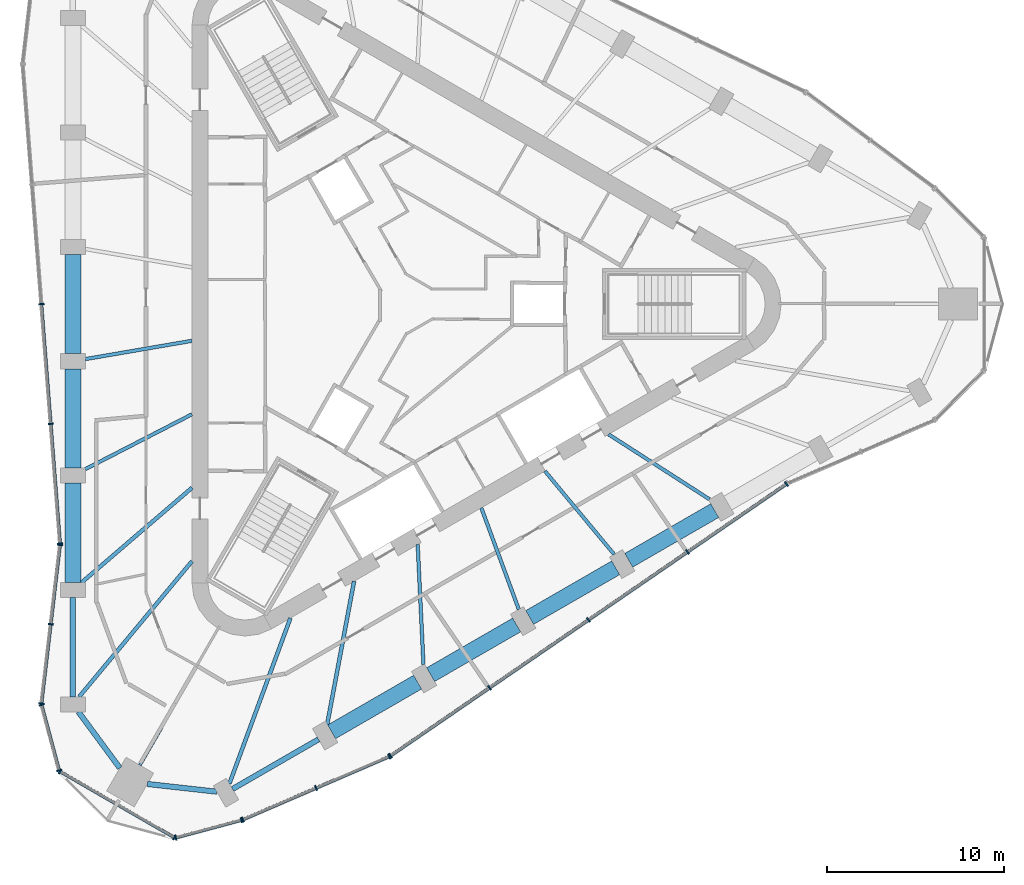
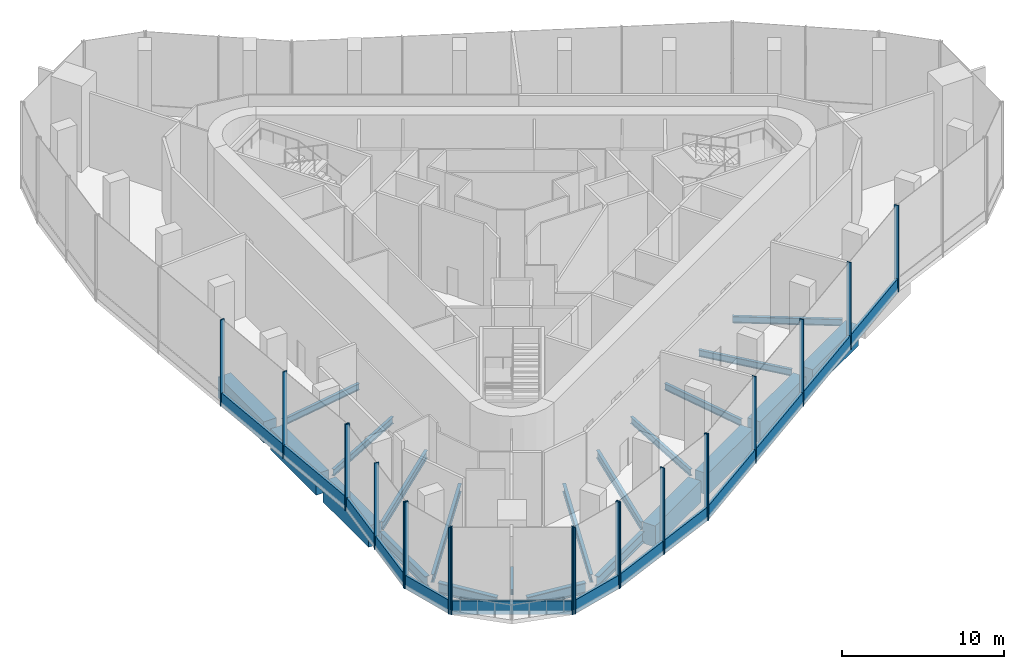
# One storey, part 2 of 13: 33 members, 22 beams, 7 elements without a shape of their own.
"""IFC4 building model written with IfcOpenShell, lengths in metres."""

from ifc_helpers import new_model, si_unit, direction, frame, origin, origin_2d, place, context, subcontext, project, spatial, rectangle, i_section, extrude, material, material_profile, profile_set, type_object, element, aggregate, save


model = new_model("IFC4")

# Units and contexts
model_context = context("Model", 3, precision=1e-05, world=origin(), true_north=direction((0.0, 1.0)))
body_context = subcontext(model_context, "Body", "Model", "MODEL_VIEW")
ifc_project = project(units=[si_unit("LENGTHUNIT", "METRE"), si_unit("AREAUNIT", "SQUARE_METRE"), si_unit("VOLUMEUNIT", "CUBIC_METRE"), si_unit("PLANEANGLEUNIT", "RADIAN"), si_unit("MASSUNIT", "GRAM", prefix="KILO")], contexts=[model_context])

# Site, building, storey
site_placement = place(None, origin())
site = spatial("IfcSite", under=ifc_project, at=site_placement, CompositionType="ELEMENT")
building_placement = place(site_placement, origin())
building = spatial("IfcBuilding", under=site, at=building_placement, Name="Tanit Gate Tower", CompositionType="ELEMENT")
storey_placement = place(building_placement, frame((0.0, 0.0, 398.300048828125)))
storey = spatial("IfcBuildingStorey", under=building, at=storey_placement, Name="L91", CompositionType="ELEMENT", Elevation=398.300048828125)

# Beams
ifc_material_1 = material(Name="Steel S460", Category="steel")
ifc_material_profile_1 = material_profile(ifc_material_1, i_section(OverallWidth=0.302978515625, OverallDepth=0.81396484375, WebThickness=0.02099609375, FlangeThickness=0.0400390625, FilletRadius=0.030029296875, at=origin_2d()), Name="HEM 800")
ifc_profile_set_1 = profile_set([ifc_material_profile_1], Name="Steel S460")
beam_type_1 = type_object("IfcBeamType", Name="BELT TRUSS CHORD HEM 800 S460", PredefinedType="BEAM", material=ifc_profile_set_1)
beam_1_placement = place(storey_placement, frame((-18.833984375, -16.584716796875, -0.70703125), z_axis=(0.0, -1.0, 0.0), x_axis=(1.0, 0.0, 0.0)))
element("IfcBeam", 1, at=beam_1_placement, inside=storey, type_object=beam_type_1, Name="BELT TRUSS CHORD", PredefinedType="BEAM", context=body_context, shape_type="SweptSolid", body=[
    extrude(i_section(OverallWidth=0.302978515625, OverallDepth=0.81396484375, WebThickness=0.02099609375, FlangeThickness=0.0400390625, FilletRadius=0.030029296875, at=origin_2d()), origin(), (0.0, 0.0, 1.0), 5.61376953125),
])
for number, where, z_axis, x_axis, name in (
    (2, (-18.52099609375, -23.048583984375, -0.70703125), (0.593167379539, -0.805079163717, 0.0), (0.805079163717, 0.593167379539, 0.0), "BELT TRUSS CHORD"),
    (3, (-14.62158203125, -27.12548828125, -0.70703125), (0.993813360322, -0.111063066977, 0.0), (0.111063066977, 0.993813360322, 0.0), "BELT TRUSS CHORD"),
):
    element("IfcBeam", number, at=place(storey_placement, frame(where, z_axis=z_axis, x_axis=x_axis)), inside=storey, type_object=beam_type_1, Name=name, PredefinedType="BEAM", context=body_context, shape_type="SweptSolid", body=[
        extrude(i_section(OverallWidth=0.302978515625, OverallDepth=0.81396484375, WebThickness=0.02099609375, FlangeThickness=0.0400390625, FilletRadius=0.030029296875, at=origin_2d()), origin(), (0.0, 0.0, 1.0), 3.94580078125),
    ])
beam_2_placement = place(storey_placement, frame((-9.8076171875, -27.409912109375, -0.70703125), z_axis=(0.866032056001, 0.499988477847, 0.0), x_axis=(-0.499988477847, 0.866032056001, 0.0)))
element("IfcBeam", 4, at=beam_2_placement, inside=storey, type_object=beam_type_1, Name="BELT TRUSS CHORD", PredefinedType="BEAM", context=body_context, shape_type="SweptSolid", body=[
    extrude(i_section(OverallWidth=0.302978515625, OverallDepth=0.81396484375, WebThickness=0.02099609375, FlangeThickness=0.0400390625, FilletRadius=0.030029296875, at=origin_2d()), origin(), (0.0, 0.0, 1.0), 5.614013671875),
])

# Curtain wall, members
ifc_material_2 = material(Name="Aluminium bronze anodised and glass", Category="aluminium")
curtain_wall_type = type_object("IfcCurtainWallType", Name="Curtain wall observation", PredefinedType="NOTDEFINED", material=ifc_material_2)
curtain_wall_1_placement = place(storey_placement, origin())
curtain_wall_1 = element("IfcCurtainWall", 5, at=curtain_wall_1_placement, inside=storey, type_object=curtain_wall_type, Name="Curtain wall L91 W2", PredefinedType="NOTDEFINED")
ifc_material_3 = material(Name="Aluminium bronze anodised", Category="aluminium")
ifc_material_profile_2 = material_profile(ifc_material_3, rectangle(XDim=0.300048828125, YDim=0.080078125, at=origin_2d()), Name="80x300 bronze mullion")
ifc_profile_set_2 = profile_set([ifc_material_profile_2], Name="Aluminium bronze anodised")
member_type_1 = type_object("IfcMemberType", Name="Mullion 80x300 observation", PredefinedType="MULLION", material=ifc_profile_set_2)
member_1_placement = place(storey_placement, frame((-20.613525390625, -0.00244140625, -0.300048828125), z_axis=(0.0, 0.0, 1.0), x_axis=(0.996965976109, 0.077838566791, 0.0)))
member_1 = element("IfcMember", 6, at=member_1_placement, type_object=member_type_1, Name="Mullion L91 W2.3", PredefinedType="MULLION", context=body_context, shape_type="SweptSolid", body=[
    extrude(rectangle(XDim=0.300048828125, YDim=0.080078125, at=origin_2d()), origin(), (0.0, 0.0, 1.0), 6.5),
])
member_2_placement = place(storey_placement, frame((-20.085205078125, -6.76953125, -0.300048828125), z_axis=(0.0, 0.0, 1.0), x_axis=(0.996965976109, 0.077838566791, 0.0)))
member_2 = element("IfcMember", 7, at=member_2_placement, type_object=member_type_1, Name="Mullion L91 W2.4", PredefinedType="MULLION", context=body_context, shape_type="SweptSolid", body=[
    extrude(rectangle(XDim=0.300048828125, YDim=0.080078125, at=origin_2d()), origin(), (0.0, 0.0, 1.0), 6.5),
])
member_3_placement = place(storey_placement, frame((-19.556640625, -13.53662109375, -0.300048828125), z_axis=(0.0, 0.0, 1.0), x_axis=(0.996965976109, 0.077838566791, 0.0)))
member_3 = element("IfcMember", 8, at=member_3_placement, type_object=member_type_1, Name="Mullion L91 W2.5", PredefinedType="MULLION", context=body_context, shape_type="SweptSolid", body=[
    extrude(rectangle(XDim=0.300048828125, YDim=0.080078125, at=origin_2d()), origin(), (0.0, 0.0, 1.0), 6.5),
])

curtain_wall_2_placement = place(storey_placement, origin())
curtain_wall_2 = element("IfcCurtainWall", 9, at=curtain_wall_2_placement, inside=storey, type_object=curtain_wall_type, Name="Curtain wall L91 W3", PredefinedType="NOTDEFINED")
member_4_placement = place(storey_placement, frame((-19.558349609375, -13.6162109375, -0.300048828125), z_axis=(0.0, 0.0, 1.0), x_axis=(0.993211998535, -0.116318209953, 0.0)))
member_4 = element("IfcMember", 10, at=member_4_placement, type_object=member_type_1, Name="Mullion L91 W3.1", PredefinedType="MULLION", context=body_context, shape_type="SweptSolid", body=[
    extrude(rectangle(XDim=0.300048828125, YDim=0.080078125, at=origin_2d()), origin(), (0.0, 0.0, 1.0), 6.5),
])
member_5_placement = place(storey_placement, frame((-20.082763671875, -18.095703125, -0.300048828125), z_axis=(0.0, 0.0, 1.0), x_axis=(0.993211998535, -0.116318209953, 0.0)))
member_5 = element("IfcMember", 11, at=member_5_placement, type_object=member_type_1, Name="Mullion L91 W3.2", PredefinedType="MULLION", context=body_context, shape_type="SweptSolid", body=[
    extrude(rectangle(XDim=0.300048828125, YDim=0.080078125, at=origin_2d()), origin(), (0.0, 0.0, 1.0), 6.5),
])
member_6_placement = place(storey_placement, frame((-20.607421875, -22.574951171875, -0.300048828125), z_axis=(0.0, 0.0, 1.0), x_axis=(0.993211998535, -0.116318209953, 0.0)))
member_6 = element("IfcMember", 12, at=member_6_placement, type_object=member_type_1, Name="Mullion L91 W3.3", PredefinedType="MULLION", context=body_context, shape_type="SweptSolid", body=[
    extrude(rectangle(XDim=0.300048828125, YDim=0.080078125, at=origin_2d()), origin(), (0.0, 0.0, 1.0), 6.5),
])

curtain_wall_3_placement = place(storey_placement, origin())
curtain_wall_3 = element("IfcCurtainWall", 13, at=curtain_wall_3_placement, inside=storey, type_object=curtain_wall_type, Name="Curtain wall L91 SW.arc1", PredefinedType="NOTDEFINED")
member_7_placement = place(storey_placement, frame((-20.601806640625, -22.6533203125, -0.300048828125), z_axis=(0.0, 0.0, 1.0), x_axis=(0.965925826289, 0.258819045103, 0.0)))
member_7 = element("IfcMember", 14, at=member_7_placement, type_object=member_type_1, Name="Mullion L91 SW.arc1.1", PredefinedType="MULLION", context=body_context, shape_type="SweptSolid", body=[
    extrude(rectangle(XDim=0.300048828125, YDim=0.080078125, at=origin_2d()), origin(), (0.0, 0.0, 1.0), 6.5),
])
member_8_placement = place(storey_placement, frame((-19.60888671875, -26.35888671875, -0.300048828125), z_axis=(0.0, 0.0, 1.0), x_axis=(0.965925826289, 0.258819045103, 0.0)))
member_8 = element("IfcMember", 15, at=member_8_placement, type_object=member_type_1, Name="Mullion L91 SW.arc1.2", PredefinedType="MULLION", context=body_context, shape_type="SweptSolid", body=[
    extrude(rectangle(XDim=0.300048828125, YDim=0.080078125, at=origin_2d()), origin(), (0.0, 0.0, 1.0), 6.5),
])

curtain_wall_4_placement = place(storey_placement, origin())
curtain_wall_4 = element("IfcCurtainWall", 16, at=curtain_wall_4_placement, inside=storey, type_object=curtain_wall_type, Name="Curtain wall L91 SW.arc2", PredefinedType="NOTDEFINED")
member_9_placement = place(storey_placement, frame((-19.56396484375, -26.417724609375, -0.300048828125), z_axis=(0.0, 0.0, 1.0), x_axis=(0.5, 0.866025403784, 0.0)))
member_9 = element("IfcMember", 17, at=member_9_placement, type_object=member_type_1, Name="Mullion L91 SW.arc2.1", PredefinedType="MULLION", context=body_context, shape_type="SweptSolid", body=[
    extrude(rectangle(XDim=0.300048828125, YDim=0.080078125, at=origin_2d()), origin(), (0.0, 0.0, 1.0), 6.5),
])
member_10_placement = place(storey_placement, frame((-13.096435546875, -30.151611328125, -0.300048828125), z_axis=(0.0, 0.0, 1.0), x_axis=(0.5, 0.866025403784, 0.0)))
member_10 = element("IfcMember", 18, at=member_10_placement, type_object=member_type_1, Name="Mullion L91 SW.arc2.2", PredefinedType="MULLION", context=body_context, shape_type="SweptSolid", body=[
    extrude(rectangle(XDim=0.300048828125, YDim=0.080078125, at=origin_2d()), origin(), (0.0, 0.0, 1.0), 6.5),
])

curtain_wall_5_placement = place(storey_placement, origin())
curtain_wall_5 = element("IfcCurtainWall", 19, at=curtain_wall_5_placement, inside=storey, type_object=curtain_wall_type, Name="Curtain wall L91 SW.arc3", PredefinedType="NOTDEFINED")
member_11_placement = place(storey_placement, frame((-13.023193359375, -30.161376953125, -0.300048828125), z_axis=(0.0, 0.0, 1.0), x_axis=(-0.258819045103, 0.965925826289, 0.0)))
member_11 = element("IfcMember", 20, at=member_11_placement, type_object=member_type_1, Name="Mullion L91 SW.arc3.1", PredefinedType="MULLION", context=body_context, shape_type="SweptSolid", body=[
    extrude(rectangle(XDim=0.300048828125, YDim=0.080078125, at=origin_2d()), origin(), (0.0, 0.0, 1.0), 6.5),
])
member_12_placement = place(storey_placement, frame((-9.3037109375, -29.164794921875, -0.300048828125), z_axis=(0.0, 0.0, 1.0), x_axis=(-0.258819045103, 0.965925826289, 0.0)))
member_12 = element("IfcMember", 21, at=member_12_placement, type_object=member_type_1, Name="Mullion L91 SW.arc3.2", PredefinedType="MULLION", context=body_context, shape_type="SweptSolid", body=[
    extrude(rectangle(XDim=0.300048828125, YDim=0.080078125, at=origin_2d()), origin(), (0.0, 0.0, 1.0), 6.5),
])

curtain_wall_6_placement = place(storey_placement, origin())
curtain_wall_6 = element("IfcCurtainWall", 22, at=curtain_wall_6_placement, inside=storey, type_object=curtain_wall_type, Name="Curtain wall L91 SE1", PredefinedType="NOTDEFINED")
member_13_placement = place(storey_placement, frame((-9.228515625, -29.138427734375, -0.300048828125), z_axis=(0.0, 0.0, 1.0), x_axis=(-0.395871474525, 0.918305927051, 0.0)))
member_13 = element("IfcMember", 23, at=member_13_placement, type_object=member_type_1, Name="Mullion L91 SE1.1", PredefinedType="MULLION", context=body_context, shape_type="SweptSolid", body=[
    extrude(rectangle(XDim=0.300048828125, YDim=0.080078125, at=origin_2d()), origin(), (0.0, 0.0, 1.0), 6.5),
])
member_14_placement = place(storey_placement, frame((-5.091064453125, -27.35498046875, -0.300048828125), z_axis=(0.0, 0.0, 1.0), x_axis=(-0.395871474525, 0.918305927051, 0.0)))
member_14 = element("IfcMember", 24, at=member_14_placement, type_object=member_type_1, Name="Mullion L91 SE1.2", PredefinedType="MULLION", context=body_context, shape_type="SweptSolid", body=[
    extrude(rectangle(XDim=0.300048828125, YDim=0.080078125, at=origin_2d()), origin(), (0.0, 0.0, 1.0), 6.5),
])
member_15_placement = place(storey_placement, frame((-0.95361328125, -25.5712890625, -0.300048828125), z_axis=(0.0, 0.0, 1.0), x_axis=(-0.395871474525, 0.918305927051, 0.0)))
member_15 = element("IfcMember", 25, at=member_15_placement, type_object=member_type_1, Name="Mullion L91 SE1.3", PredefinedType="MULLION", context=body_context, shape_type="SweptSolid", body=[
    extrude(rectangle(XDim=0.300048828125, YDim=0.080078125, at=origin_2d()), origin(), (0.0, 0.0, 1.0), 6.5),
])

curtain_wall_7_placement = place(storey_placement, origin())
curtain_wall_7 = element("IfcCurtainWall", 26, at=curtain_wall_7_placement, inside=storey, type_object=curtain_wall_type, Name="Curtain wall L91 SE2", PredefinedType="NOTDEFINED")
member_16_placement = place(storey_placement, frame((-0.884033203125, -25.532958984375, -0.300048828125), z_axis=(0.0, 0.0, 1.0), x_axis=(-0.56589316429, 0.824478578624, 0.0)))
member_16 = element("IfcMember", 27, at=member_16_placement, type_object=member_type_1, Name="Mullion L91 SE2.1", PredefinedType="MULLION", context=body_context, shape_type="SweptSolid", body=[
    extrude(rectangle(XDim=0.300048828125, YDim=0.080078125, at=origin_2d()), origin(), (0.0, 0.0, 1.0), 6.5),
])
member_17_placement = place(storey_placement, frame((4.71240234375, -21.691650390625, -0.300048828125), z_axis=(0.0, 0.0, 1.0), x_axis=(-0.56589316429, 0.824478578624, 0.0)))
member_17 = element("IfcMember", 28, at=member_17_placement, type_object=member_type_1, Name="Mullion L91 SE2.2", PredefinedType="MULLION", context=body_context, shape_type="SweptSolid", body=[
    extrude(rectangle(XDim=0.300048828125, YDim=0.080078125, at=origin_2d()), origin(), (0.0, 0.0, 1.0), 6.5),
])
member_18_placement = place(storey_placement, frame((10.308837890625, -17.8505859375, -0.300048828125), z_axis=(0.0, 0.0, 1.0), x_axis=(-0.56589316429, 0.824478578624, 0.0)))
member_18 = element("IfcMember", 29, at=member_18_placement, type_object=member_type_1, Name="Mullion L91 SE2.3", PredefinedType="MULLION", context=body_context, shape_type="SweptSolid", body=[
    extrude(rectangle(XDim=0.300048828125, YDim=0.080078125, at=origin_2d()), origin(), (0.0, 0.0, 1.0), 6.5),
])
member_19_placement = place(storey_placement, frame((15.905029296875, -14.009521484375, -0.300048828125), z_axis=(0.0, 0.0, 1.0), x_axis=(-0.56589316429, 0.824478578624, 0.0)))
member_19 = element("IfcMember", 30, at=member_19_placement, type_object=member_type_1, Name="Mullion L91 SE2.4", PredefinedType="MULLION", context=body_context, shape_type="SweptSolid", body=[
    extrude(rectangle(XDim=0.300048828125, YDim=0.080078125, at=origin_2d()), origin(), (0.0, 0.0, 1.0), 6.5),
])
member_20_placement = place(storey_placement, frame((21.50146484375, -10.168212890625, -0.300048828125), z_axis=(0.0, 0.0, 1.0), x_axis=(-0.56589316429, 0.824478578624, 0.0)))
member_20 = element("IfcMember", 31, at=member_20_placement, type_object=member_type_1, Name="Mullion L91 SE2.5", PredefinedType="MULLION", context=body_context, shape_type="SweptSolid", body=[
    extrude(rectangle(XDim=0.300048828125, YDim=0.080078125, at=origin_2d()), origin(), (0.0, 0.0, 1.0), 6.5),
])

# Beams
ifc_material_4 = material(Name="Steel S355", Category="steel")
ifc_material_profile_3 = material_profile(ifc_material_4, i_section(OverallWidth=0.179931640625, OverallDepth=0.39990234375, WebThickness=0.008544921875, FlangeThickness=0.013427734375, FilletRadius=0.02099609375, at=origin_2d()), Name="IPE 400")
ifc_profile_set_3 = profile_set([ifc_material_profile_3], Name="Steel S355")
beam_type_2 = type_object("IfcBeamType", Name="RADIAL GIRDER IPE 400 S355", PredefinedType="BEAM", material=ifc_profile_set_3)
beam_3_placement = place(storey_placement, frame((-15.0478515625, -26.063720703125, -0.5), z_axis=(0.499965672037, 0.866045222136, 0.0), x_axis=(-0.866045222136, 0.499965672037, 0.0)))
element("IfcBeam", 32, at=beam_3_placement, inside=storey, type_object=beam_type_2, Name="RADIAL GIRDER", PredefinedType="BEAM", context=body_context, shape_type="SweptSolid", body=[
    extrude(i_section(OverallWidth=0.179931640625, OverallDepth=0.39990234375, WebThickness=0.008544921875, FlangeThickness=0.013427734375, FilletRadius=0.02099609375, at=origin_2d()), origin(), (0.0, 0.0, 1.0), 2.490966796875),
])
ifc_material_5 = material(Name="Steel S355", Category="steel")
ifc_material_profile_4 = material_profile(ifc_material_5, i_section(OverallWidth=0.199951171875, OverallDepth=0.5, WebThickness=0.01025390625, FlangeThickness=0.01611328125, FilletRadius=0.02099609375, at=origin_2d()), Name="IPE 500")
ifc_profile_set_4 = profile_set([ifc_material_profile_4], Name="Steel S355")
beam_type_3 = type_object("IfcBeamType", Name="RADIAL GIRDER IPE 500 S355", PredefinedType="BEAM", material=ifc_profile_set_4)
beam_4_placement = place(storey_placement, frame((-18.134033203125, -3.11181640625, -0.550048828125), z_axis=(0.985592249699, 0.169138751719, 0.0), x_axis=(-0.169138751719, 0.985592249699, 0.0)))
element("IfcBeam", 33, at=beam_4_placement, inside=storey, type_object=beam_type_3, Name="RADIAL GIRDER", PredefinedType="BEAM", context=body_context, shape_type="SweptSolid", body=[
    extrude(i_section(OverallWidth=0.199951171875, OverallDepth=0.5, WebThickness=0.01025390625, FlangeThickness=0.01611328125, FilletRadius=0.02099609375, at=origin_2d()), origin(), (0.0, 0.0, 1.0), 6.1201171875),
])
for number, where, z_axis, x_axis, name in (
    (34, (-18.134033203125, -9.33544921875, -0.550048828125), (0.889089509104, 0.457733377416, 0.0), (-0.457733377416, 0.889089509104, 0.0), "RADIAL GIRDER"),
    (35, (0.982177734375, -20.372314453125, -0.550048828125), (-0.048148149824, 0.998840205272, 0.0), (-0.998840205272, -0.048148149824, 0.0), "RADIAL GIRDER"),
):
    element("IfcBeam", number, at=place(storey_placement, frame(where, z_axis=z_axis, x_axis=x_axis)), inside=storey, type_object=beam_type_3, Name=name, PredefinedType="BEAM", context=body_context, shape_type="SweptSolid", body=[
        extrude(i_section(OverallWidth=0.199951171875, OverallDepth=0.5, WebThickness=0.01025390625, FlangeThickness=0.01611328125, FilletRadius=0.02099609375, at=origin_2d()), origin(), (0.0, 0.0, 1.0), 6.784423828125),
    ])
beam_5_placement = place(storey_placement, frame((6.3720703125, -17.260498046875, -0.550048828125), z_axis=(-0.346331956525, 0.938112027366, 0.0), x_axis=(-0.938112027366, -0.346331956525, 0.0)))
element("IfcBeam", 36, at=beam_5_placement, inside=storey, type_object=beam_type_3, Name="RADIAL GIRDER", PredefinedType="BEAM", context=body_context, shape_type="SweptSolid", body=[
    extrude(i_section(OverallWidth=0.199951171875, OverallDepth=0.5, WebThickness=0.01025390625, FlangeThickness=0.01611328125, FilletRadius=0.02099609375, at=origin_2d()), origin(), (0.0, 0.0, 1.0), 6.1201171875),
])
beam_6_placement = place(storey_placement, frame((11.761962890625, -14.1484375, -0.550048828125), z_axis=(-0.639281465972, 0.76897282609, 0.0), x_axis=(-0.76897282609, -0.639281465972, 0.0)))
element("IfcBeam", 37, at=beam_6_placement, inside=storey, type_object=beam_type_3, Name="RADIAL GIRDER", PredefinedType="BEAM", context=body_context, shape_type="SweptSolid", body=[
    extrude(i_section(OverallWidth=0.199951171875, OverallDepth=0.5, WebThickness=0.01025390625, FlangeThickness=0.01611328125, FilletRadius=0.02099609375, at=origin_2d()), origin(), (0.0, 0.0, 1.0), 6.119873046875),
])
beam_7_placement = place(storey_placement, frame((17.151611328125, -11.036865234375, -0.550048828125), z_axis=(-0.840921151668, 0.541157663419, 0.0), x_axis=(-0.541157663419, -0.840921151668, 0.0)))
element("IfcBeam", 38, at=beam_7_placement, inside=storey, type_object=beam_type_3, Name="RADIAL GIRDER", PredefinedType="BEAM", context=body_context, shape_type="SweptSolid", body=[
    extrude(i_section(OverallWidth=0.199951171875, OverallDepth=0.5, WebThickness=0.01025390625, FlangeThickness=0.01611328125, FilletRadius=0.02099609375, at=origin_2d()), origin(), (0.0, 0.0, 1.0), 6.784423828125),
])
ifc_material_6 = material(Name="Steel S355", Category="steel")
ifc_material_profile_5 = material_profile(ifc_material_6, i_section(OverallWidth=0.219970703125, OverallDepth=0.60009765625, WebThickness=0.011962890625, FlangeThickness=0.01904296875, FilletRadius=0.02392578125, at=origin_2d()), Name="IPE 600")
ifc_profile_set_5 = profile_set([ifc_material_profile_5], Name="Steel S355")
beam_type_4 = type_object("IfcBeamType", Name="RADIAL GIRDER IPE 600 S355", PredefinedType="BEAM", material=ifc_profile_set_5)
beam_8_placement = place(storey_placement, frame((-18.338623046875, -15.734619140625, -0.60009765625), z_axis=(0.758929352331, 0.651172971008, 0.0), x_axis=(-0.651172971008, 0.758929352331, 0.0)))
element("IfcBeam", 39, at=beam_8_placement, inside=storey, type_object=beam_type_4, Name="RADIAL GIRDER", PredefinedType="BEAM", context=body_context, shape_type="SweptSolid", body=[
    extrude(i_section(OverallWidth=0.219970703125, OverallDepth=0.60009765625, WebThickness=0.011962890625, FlangeThickness=0.01904296875, FilletRadius=0.02392578125, at=origin_2d()), origin(), (0.0, 0.0, 1.0), 8.217529296875),
])
for number, where, z_axis, x_axis, name in (
    (40, (-18.480224609375, -22.198486328125, -0.60009765625), (0.639810946261, 0.768532337019, 0.0), (-0.768532337019, 0.639810946261, 0.0), "RADIAL GIRDER"),
    (41, (-9.984619140625, -27.103515625, -0.60009765625), (0.345682660263, 0.938351479134, 0.0), (-0.938351479134, 0.345682660263, 0.0), "RADIAL GIRDER"),
):
    element("IfcBeam", number, at=place(storey_placement, frame(where, z_axis=z_axis, x_axis=x_axis)), inside=storey, type_object=beam_type_4, Name=name, PredefinedType="BEAM", context=body_context, shape_type="SweptSolid", body=[
        extrude(i_section(OverallWidth=0.219970703125, OverallDepth=0.60009765625, WebThickness=0.011962890625, FlangeThickness=0.01904296875, FilletRadius=0.02392578125, at=origin_2d()), origin(), (0.0, 0.0, 1.0), 9.96875),
    ])
beam_9_placement = place(storey_placement, frame((-4.45751953125, -23.7490234375, -0.60009765625), z_axis=(0.184498405984, 0.982832812939, 0.0), x_axis=(-0.982832812939, 0.184498405984, 0.0)))
element("IfcBeam", 42, at=beam_9_placement, inside=storey, type_object=beam_type_4, Name="RADIAL GIRDER", PredefinedType="BEAM", context=body_context, shape_type="SweptSolid", body=[
    extrude(i_section(OverallWidth=0.219970703125, OverallDepth=0.60009765625, WebThickness=0.011962890625, FlangeThickness=0.01904296875, FilletRadius=0.02392578125, at=origin_2d()), origin(), (0.0, 0.0, 1.0), 8.217529296875),
])
ifc_material_7 = material(Name="Concrete C60/75", Category="concrete")
ifc_material_profile_6 = material_profile(ifc_material_7, rectangle(XDim=0.89990234375, YDim=1.60009765625, at=origin_2d()), Name="RC 900x1600")
ifc_profile_set_6 = profile_set([ifc_material_profile_6], Name="Concrete C60/75")
beam_type_5 = type_object("IfcBeamType", Name="TRANSFER GIRDER 900x1600 C60/75", PredefinedType="USERDEFINED", material=ifc_profile_set_6)
for number, where, z_axis, x_axis, name in (
    (43, (-18.833984375, -3.656982421875, -1.10009765625), (0.0, -1.0, 0.0), (1.0, 0.0, 0.0), "TRANSFER GIRDER"),
    (44, (-18.833984375, -10.120849609375, -1.10009765625), (0.0, -1.0, 0.0), (1.0, 0.0, 0.0), "TRANSFER GIRDER"),
):
    element("IfcBeam", number, at=place(storey_placement, frame(where, z_axis=z_axis, x_axis=x_axis)), inside=storey, type_object=beam_type_5, Name=name, ObjectType="GIRDER", PredefinedType="USERDEFINED", context=body_context, shape_type="SweptSolid", body=[
        extrude(rectangle(XDim=0.89990234375, YDim=1.60009765625, at=origin_2d()), origin(), (0.0, 0.0, 1.0), 5.61376953125),
    ])
for number, where, z_axis, x_axis, name in (
    (45, (-4.209716796875, -24.177978515625, -1.10009765625), (0.866032056001, 0.499988477847, 0.0), (-0.499988477847, 0.866032056001, 0.0), "TRANSFER GIRDER"),
    (46, (1.38818359375, -20.946044921875, -1.10009765625), (0.866032056001, 0.499988477847, 0.0), (-0.499988477847, 0.866032056001, 0.0), "TRANSFER GIRDER"),
    (47, (6.986083984375, -17.714111328125, -1.10009765625), (0.866032056001, 0.499988477847, 0.0), (-0.499988477847, 0.866032056001, 0.0), "TRANSFER GIRDER"),
    (48, (12.583984375, -14.482177734375, -1.10009765625), (0.866032056001, 0.499988477847, 0.0), (-0.499988477847, 0.866032056001, 0.0), "TRANSFER GIRDER"),
):
    element("IfcBeam", number, at=place(storey_placement, frame(where, z_axis=z_axis, x_axis=x_axis)), inside=storey, type_object=beam_type_5, Name=name, ObjectType="GIRDER", PredefinedType="USERDEFINED", context=body_context, shape_type="SweptSolid", body=[
        extrude(rectangle(XDim=0.89990234375, YDim=1.60009765625, at=origin_2d()), origin(), (0.0, 0.0, 1.0), 5.614013671875),
    ])
beam_10_placement = place(storey_placement, frame((-18.833984375, 2.806884765625, -1.10009765625), z_axis=(0.0, -1.0, 0.0), x_axis=(1.0, 0.0, 0.0)))
element("IfcBeam", 49, at=beam_10_placement, inside=storey, type_object=beam_type_5, Name="TRANSFER GIRDER", ObjectType="GIRDER", PredefinedType="USERDEFINED", context=body_context, shape_type="SweptSolid", body=[
    extrude(rectangle(XDim=0.89990234375, YDim=1.60009765625, at=origin_2d()), origin(), (0.0, 0.0, 1.0), 5.61376953125),
])

# Member
ifc_material_8 = material(Name="Aluminium bronze anodised", Category="aluminium")
ifc_material_profile_7 = material_profile(ifc_material_8, rectangle(XDim=0.179931640625, YDim=1.0, at=origin_2d()), Name="180x1000 bronze transom")
ifc_profile_set_7 = profile_set([ifc_material_profile_7], Name="Aluminium bronze anodised")
member_type_2 = type_object("IfcMemberType", Name="Transom 180x1000 observation", PredefinedType="USERDEFINED", material=ifc_profile_set_7)
member_21_placement = place(storey_placement, frame((-20.6103515625, -0.042236328125, 0.199951171875), z_axis=(0.077854316831, -0.996964746293, 0.0), x_axis=(0.996964746293, 0.077854316831, 0.0)))
member_21 = element("IfcMember", 50, at=member_21_placement, type_object=member_type_2, Name="Transom L91 W2.3", ObjectType="TRANSOM", PredefinedType="USERDEFINED", context=body_context, shape_type="SweptSolid", body=[
    extrude(rectangle(XDim=0.179931640625, YDim=1.0, at=origin_2d()), origin(), (0.0, 0.0, 1.0), 6.70751953125),
])

member_22_placement = place(storey_placement, frame((-20.08203125, -6.809326171875, 0.199951171875), z_axis=(0.077851491829, -0.996964966897, 0.0), x_axis=(0.996964966897, 0.077851491829, 0.0)))
member_22 = element("IfcMember", 51, at=member_22_placement, type_object=member_type_2, Name="Transom L91 W2.4", ObjectType="TRANSOM", PredefinedType="USERDEFINED", context=body_context, shape_type="SweptSolid", body=[
    extrude(rectangle(XDim=0.179931640625, YDim=1.0, at=origin_2d()), origin(), (0.0, 0.0, 1.0), 6.707763671875),
])

aggregate(curtain_wall_1, [member_1, member_2, member_3, member_21, member_22])

member_23_placement = place(storey_placement, frame((-19.56298828125, -13.656005859375, 0.199951171875), z_axis=(-0.116284849592, -0.993215904905, 0.0), x_axis=(0.993215904905, -0.116284849592, 0.0)))
member_23 = element("IfcMember", 52, at=member_23_placement, type_object=member_type_2, Name="Transom L91 W3.1", ObjectType="TRANSOM", PredefinedType="USERDEFINED", context=body_context, shape_type="SweptSolid", body=[
    extrude(rectangle(XDim=0.179931640625, YDim=1.0, at=origin_2d()), origin(), (0.0, 0.0, 1.0), 4.429931640625),
])

member_24_placement = place(storey_placement, frame((-20.08740234375, -18.13525390625, 0.199951171875), z_axis=(-0.116332847467, -0.99321028418, 0.0), x_axis=(0.99321028418, -0.116332847467, 0.0)))
member_24 = element("IfcMember", 53, at=member_24_placement, type_object=member_type_2, Name="Transom L91 W3.2", ObjectType="TRANSOM", PredefinedType="USERDEFINED", context=body_context, shape_type="SweptSolid", body=[
    extrude(rectangle(XDim=0.179931640625, YDim=1.0, at=origin_2d()), origin(), (0.0, 0.0, 1.0), 4.43017578125),
])

aggregate(curtain_wall_2, [member_4, member_5, member_6, member_23, member_24])

member_25_placement = place(storey_placement, frame((-20.59130859375, -22.692138671875, 0.199951171875), z_axis=(0.258819472716, -0.96592571171, 0.0), x_axis=(0.96592571171, 0.258819472716, 0.0)))
member_25 = element("IfcMember", 54, at=member_25_placement, type_object=member_type_2, Name="Transom L91 SW.arc1.1", ObjectType="TRANSOM", PredefinedType="USERDEFINED", context=body_context, shape_type="SweptSolid", body=[
    extrude(rectangle(XDim=0.179931640625, YDim=1.0, at=origin_2d()), origin(), (0.0, 0.0, 1.0), 3.756103515625),
])

aggregate(curtain_wall_3, [member_7, member_8, member_25])

member_26_placement = place(storey_placement, frame((-19.529296875, -26.437744140625, 0.199951171875), z_axis=(0.866034254018, -0.499984670633, 0.0), x_axis=(0.499984670633, 0.866034254018, 0.0)))
member_26 = element("IfcMember", 55, at=member_26_placement, type_object=member_type_2, Name="Transom L91 SW.arc2.1", ObjectType="TRANSOM", PredefinedType="USERDEFINED", context=body_context, shape_type="SweptSolid", body=[
    extrude(rectangle(XDim=0.179931640625, YDim=1.0, at=origin_2d()), origin(), (0.0, 0.0, 1.0), 7.387939453125),
])

aggregate(curtain_wall_4, [member_9, member_10, member_26])

member_27_placement = place(storey_placement, frame((-12.984375, -30.15087890625, 0.199951171875), z_axis=(0.965925795588, 0.258819159681, 0.0), x_axis=(-0.258819159681, 0.965925795588, 0.0)))
member_27 = element("IfcMember", 56, at=member_27_placement, type_object=member_type_2, Name="Transom L91 SW.arc3.1", ObjectType="TRANSOM", PredefinedType="USERDEFINED", context=body_context, shape_type="SweptSolid", body=[
    extrude(rectangle(XDim=0.179931640625, YDim=1.0, at=origin_2d()), origin(), (0.0, 0.0, 1.0), 3.770263671875),
])

aggregate(curtain_wall_5, [member_11, member_12, member_27])

member_28_placement = place(storey_placement, frame((-9.191650390625, -29.12255859375, 0.199951171875), z_axis=(0.918315441962, 0.395849401987, 0.0), x_axis=(-0.395849401987, 0.918315441962, 0.0)))
member_28 = element("IfcMember", 57, at=member_28_placement, type_object=member_type_2, Name="Transom L91 SE1.1", ObjectType="TRANSOM", PredefinedType="USERDEFINED", context=body_context, shape_type="SweptSolid", body=[
    extrude(rectangle(XDim=0.179931640625, YDim=1.0, at=origin_2d()), origin(), (0.0, 0.0, 1.0), 4.42529296875),
])

member_29_placement = place(storey_placement, frame((-5.054443359375, -27.339111328125, 0.199951171875), z_axis=(0.918304032132, 0.395875870154, 0.0), x_axis=(-0.395875870154, 0.918304032132, 0.0)))
member_29 = element("IfcMember", 58, at=member_29_placement, type_object=member_type_2, Name="Transom L91 SE1.2", ObjectType="TRANSOM", PredefinedType="USERDEFINED", context=body_context, shape_type="SweptSolid", body=[
    extrude(rectangle(XDim=0.179931640625, YDim=1.0, at=origin_2d()), origin(), (0.0, 0.0, 1.0), 4.425537109375),
])

aggregate(curtain_wall_6, [member_13, member_14, member_15, member_28, member_29])

member_30_placement = place(storey_placement, frame((-0.85107421875, -25.51025390625, 0.199951171875), z_axis=(0.824482387079, 0.565887615517, 0.0), x_axis=(-0.565887615517, 0.824482387079, 0.0)))
member_30 = element("IfcMember", 59, at=member_30_placement, type_object=member_type_2, Name="Transom L91 SE2.1", ObjectType="TRANSOM", PredefinedType="USERDEFINED", context=body_context, shape_type="SweptSolid", body=[
    extrude(rectangle(XDim=0.179931640625, YDim=1.0, at=origin_2d()), origin(), (0.0, 0.0, 1.0), 6.707763671875),
])

member_31_placement = place(storey_placement, frame((4.745361328125, -21.669189453125, 0.199951171875), z_axis=(0.824482387079, 0.565887615517, 0.0), x_axis=(-0.565887615517, 0.824482387079, 0.0)))
member_31 = element("IfcMember", 60, at=member_31_placement, type_object=member_type_2, Name="Transom L91 SE2.2", ObjectType="TRANSOM", PredefinedType="USERDEFINED", context=body_context, shape_type="SweptSolid", body=[
    extrude(rectangle(XDim=0.179931640625, YDim=1.0, at=origin_2d()), origin(), (0.0, 0.0, 1.0), 6.707763671875),
])

member_32_placement = place(storey_placement, frame((10.341796875, -17.827880859375, 0.199951171875), z_axis=(0.824487713367, 0.565879855188, 0.0), x_axis=(-0.565879855188, 0.824487713367, 0.0)))
member_32 = element("IfcMember", 61, at=member_32_placement, type_object=member_type_2, Name="Transom L91 SE2.3", ObjectType="TRANSOM", PredefinedType="USERDEFINED", context=body_context, shape_type="SweptSolid", body=[
    extrude(rectangle(XDim=0.179931640625, YDim=1.0, at=origin_2d()), origin(), (0.0, 0.0, 1.0), 6.70751953125),
])

member_33_placement = place(storey_placement, frame((15.93798828125, -13.98681640625, 0.199951171875), z_axis=(0.824482387079, 0.565887615517, 0.0), x_axis=(-0.565887615517, 0.824482387079, 0.0)))
member_33 = element("IfcMember", 62, at=member_33_placement, type_object=member_type_2, Name="Transom L91 SE2.4", ObjectType="TRANSOM", PredefinedType="USERDEFINED", context=body_context, shape_type="SweptSolid", body=[
    extrude(rectangle(XDim=0.179931640625, YDim=1.0, at=origin_2d()), origin(), (0.0, 0.0, 1.0), 6.707763671875),
])

aggregate(curtain_wall_7, [member_16, member_17, member_18, member_19, member_20, member_30, member_31, member_32, member_33])

save(model, "model.ifc")
